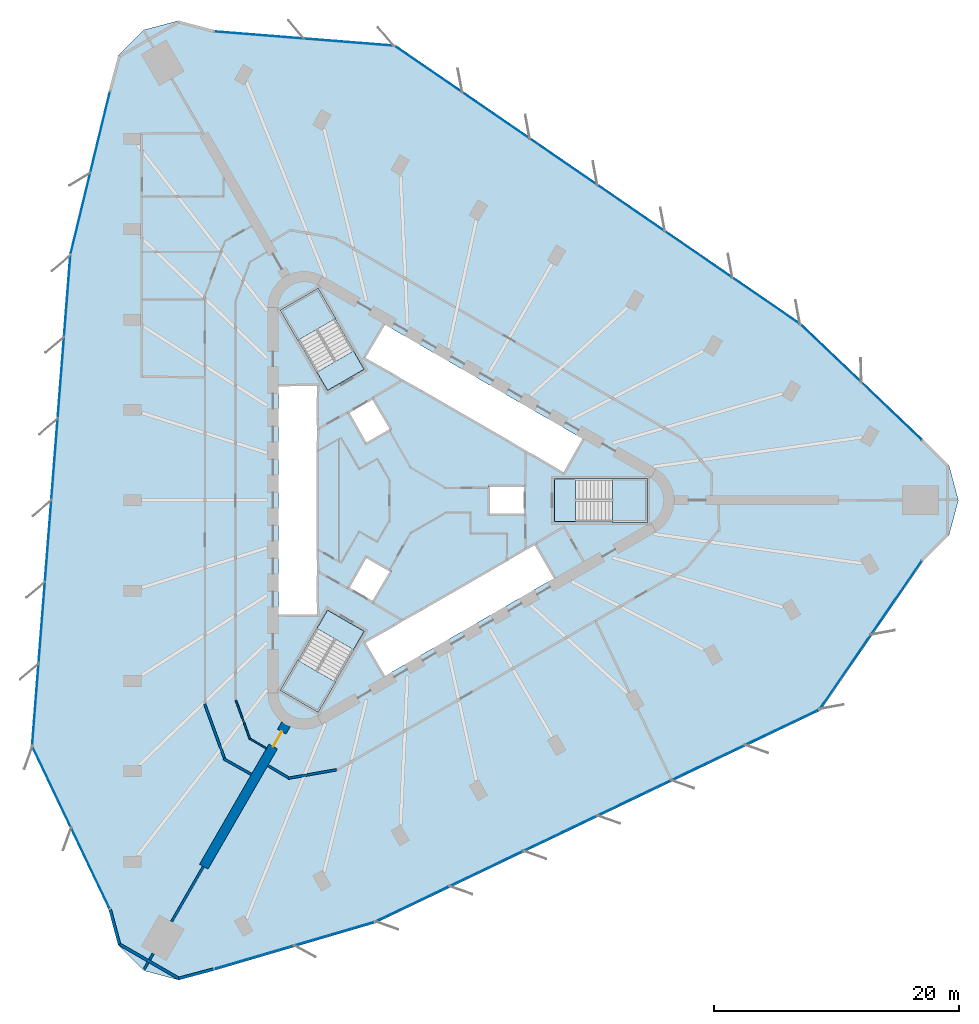
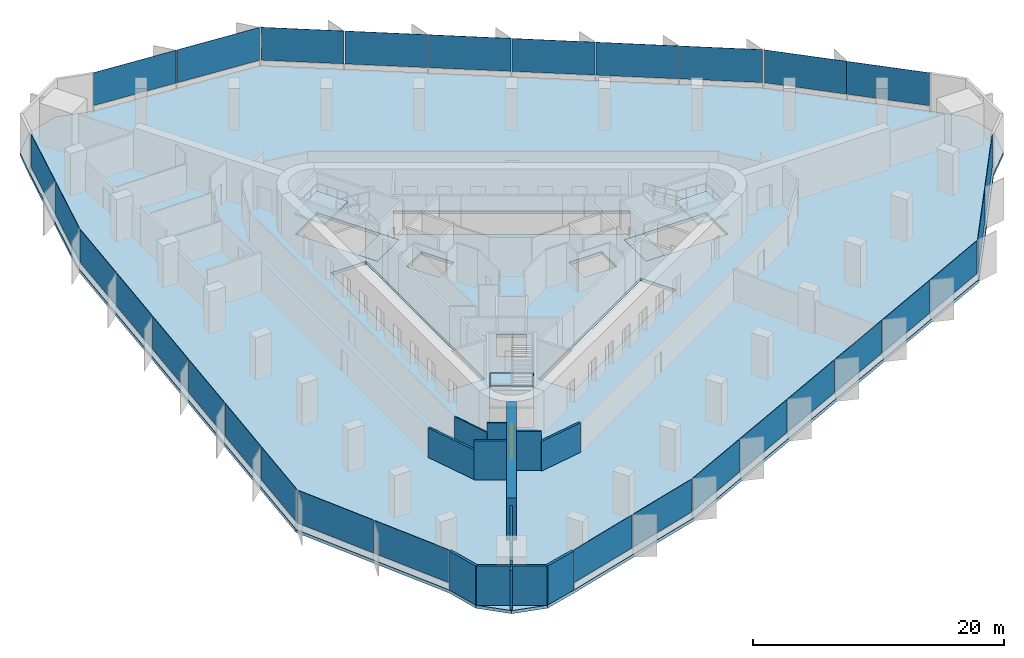
# One storey, part 8 of 14: 30 plates, 13 walls, 7 slabs, 1 door, 1 opening, 12 elements without a shape of their own.
"""IFC4 building model written with IfcOpenShell, lengths in metres."""

from ifc_helpers import new_model, si_unit, direction, frame, frame_2d, origin, origin_2d, place, context, subcontext, project, spatial, polyline, rectangle, outline, extrude, material, layer, layer_set, type_object, element, fill, aggregate, save


model = new_model("IFC4")

# Units and contexts
model_context = context("Model", 3, precision=1e-05, world=origin(), true_north=direction((0.0, 1.0)))
body_context = subcontext(model_context, "Body", "Model", "MODEL_VIEW")
ifc_project = project(units=[si_unit("LENGTHUNIT", "METRE"), si_unit("AREAUNIT", "SQUARE_METRE"), si_unit("VOLUMEUNIT", "CUBIC_METRE"), si_unit("PLANEANGLEUNIT", "RADIAN"), si_unit("MASSUNIT", "GRAM", prefix="KILO")], contexts=[model_context])

# Site, building, storey
site_placement = place(None, origin())
site = spatial("IfcSite", under=ifc_project, at=site_placement, CompositionType="ELEMENT")
building_placement = place(site_placement, origin())
building = spatial("IfcBuilding", under=site, at=building_placement, Name="Tanit Gate Tower", CompositionType="ELEMENT")
storey_placement = place(building_placement, frame((0.0, 0.0, 86.5)))
storey = spatial("IfcBuildingStorey", under=building, at=storey_placement, Name="L17", CompositionType="ELEMENT", Elevation=86.5)

# Slab
ifc_material_1 = material(Name="Concrete C35/45", Category="concrete")
ifc_layer_1 = layer(ifc_material_1, 0.300048828125)
ifc_layer_set_1 = layer_set([ifc_layer_1], Name="FLOOR SLAB 300 C35/45")
slab_type_1 = type_object("IfcSlabType", Name="FLOOR SLAB 300 C35/45", PredefinedType="FLOOR", material=ifc_layer_set_1)
slab_1_placement = place(storey_placement, frame((0.0, 0.0, -0.300048828125)))
element("IfcSlab", 1, at=slab_1_placement, inside=storey, type_object=slab_type_1, Name="FLOOR SLAB L17", PredefinedType="FLOOR", context=body_context, shape_type="SweptSolid", body=[
    extrude(outline(polyline([(41.55078125, 4.966796875), (43.64990234375, 2.86767578125), (44.41845703125, 0.0), (43.64990234375, -2.86767578125), (41.55078125, -4.966796875), (33.13671875, -17.19384765625), (-3.24462890625, -34.580810546875), (-16.473876953125, -38.46728515625), (-19.341552734375, -39.23583984375), (-22.209228515625, -38.46728515625), (-24.308349609375, -36.3681640625), (-25.076904296875, -33.50048828125), (-31.458740234375, -20.100341796875), (-28.32568359375, 20.100341796875), (-25.076904296875, 33.50048828125), (-24.308349609375, 36.3681640625), (-22.209228515625, 38.46728515625), (-19.341552734375, 39.23583984375), (-16.473876953125, 38.46728515625), (-1.677978515625, 37.294189453125), (31.5703125, 14.48046875), (41.55078125, 4.966796875)]), holes=[polyline([(11.3701171875, 1.72998046875), (18.929931640625, 1.72998046875), (18.929931640625, -1.72998046875), (11.3701171875, -1.72998046875), (11.3701171875, 1.72998046875)]), polyline([(-4.208984375, 11.60986328125), (-2.583984375, 14.424560546875), (13.783935546875, 4.974609375), (12.158935546875, 2.159912109375), (-4.208984375, 11.60986328125)]), polyline([(-4.208984375, -11.60986328125), (9.82080078125, -3.510009765625), (11.44580078125, -6.324462890625), (-2.583984375, -14.424560546875), (-4.208984375, -11.60986328125)]), polyline([(9.0, 1.199951171875), (9.0, -1.199951171875), (6.0, -1.199951171875), (6.0, 1.199951171875), (9.0, 1.199951171875)]), polyline([(-5.539306640625, 7.194091796875), (-3.460693359375, 8.394287109375), (-1.960693359375, 5.796142578125), (-4.039306640625, 4.59619140625), (-5.539306640625, 7.194091796875)]), polyline([(-1.960693359375, -5.796142578125), (-3.460693359375, -8.394287109375), (-5.539306640625, -7.194091796875), (-4.039306640625, -4.59619140625), (-1.960693359375, -5.796142578125)]), polyline([(-10.963134765625, 15.52880859375), (-7.966796875, 17.2587890625), (-4.186767578125, 10.711669921875), (-7.18310546875, 8.981689453125), (-10.963134765625, 15.52880859375)]), polyline([(-4.186767578125, -10.711669921875), (-7.966796875, -17.2587890625), (-10.963134765625, -15.52880859375), (-7.18310546875, -8.981689453125), (-4.186767578125, -10.711669921875)]), polyline([(-11.199951171875, -9.449951171875), (-11.199951171875, 9.449951171875), (-7.949951171875, 9.449951171875), (-7.949951171875, -9.449951171875), (-11.199951171875, -9.449951171875)])]), origin(), (0.0, 0.0, 1.0), 0.300048828125),
])

# Curtain wall, plates
ifc_material_2 = material(Name="Aluminium bronze anodised and glass", Category="aluminium")
curtain_wall_type = type_object("IfcCurtainWallType", Name="Curtain wall typical low", PredefinedType="NOTDEFINED", material=ifc_material_2)
curtain_wall_1_placement = place(storey_placement, origin())
curtain_wall_1 = element("IfcCurtainWall", 2, at=curtain_wall_1_placement, inside=storey, type_object=curtain_wall_type, Name="Curtain wall L17 NE1", PredefinedType="NOTDEFINED")
ifc_material_3 = material(Name="Glass tinted", Category="glass")
ifc_layer_2 = layer(ifc_material_3, 0.031982421875)
ifc_layer_set_2 = layer_set([ifc_layer_2], Name="Glass panel 32 typical low")
plate_type = type_object("IfcPlateType", Name="Glass panel 32 typical low", PredefinedType="CURTAIN_PANEL", material=ifc_layer_set_2)
plate_1_placement = place(storey_placement, frame((38.959228515625, 7.271240234375, 0.60009765625), z_axis=(0.0, 0.0, 1.0), x_axis=(-0.723833901773, 0.689974262306, 0.0)))
plate_1 = element("IfcPlate", 3, at=plate_1_placement, type_object=plate_type, Name="Glass panel L17 NE1.1", PredefinedType="CURTAIN_PANEL", context=body_context, shape_type="SweptSolid", body=[
    extrude(rectangle(XDim=6.768798828125, YDim=0.031982421875, at=origin_2d()), origin(), (0.0, 0.0, 1.0), 3.199951171875),
])
plate_2_placement = place(storey_placement, frame((34.001953125, 11.996826171875, 0.60009765625), z_axis=(0.0, 0.0, 1.0), x_axis=(-0.723833901773, 0.689974262306, 0.0)))
plate_2 = element("IfcPlate", 4, at=plate_2_placement, type_object=plate_type, Name="Glass panel L17 NE1.2", PredefinedType="CURTAIN_PANEL", context=body_context, shape_type="SweptSolid", body=[
    extrude(rectangle(XDim=6.768798828125, YDim=0.031982421875, at=origin_2d()), origin(), (0.0, 0.0, 1.0), 3.199951171875),
])
aggregate(curtain_wall_1, [plate_1, plate_2])

curtain_wall_2_placement = place(storey_placement, origin())
curtain_wall_2 = element("IfcCurtainWall", 5, at=curtain_wall_2_placement, inside=storey, type_object=curtain_wall_type, Name="Curtain wall L17 NE2", PredefinedType="NOTDEFINED")
plate_3_placement = place(storey_placement, frame((28.698974609375, 16.304931640625, 0.60009765625), z_axis=(0.0, 0.0, 1.0), x_axis=(-0.824556572821, 0.565779513784, 0.0)))
plate_3 = element("IfcPlate", 6, at=plate_3_placement, type_object=plate_type, Name="Glass panel L17 NE2.1", PredefinedType="CURTAIN_PANEL", context=body_context, shape_type="SweptSolid", body=[
    extrude(rectangle(XDim=6.6201171875, YDim=0.031982421875, at=origin_2d()), origin(), (0.0, 0.0, 1.0), 3.199951171875),
])
plate_4_placement = place(storey_placement, frame((23.17431640625, 20.095947265625, 0.60009765625), z_axis=(0.0, 0.0, 1.0), x_axis=(-0.824556572821, 0.565779513784, 0.0)))
plate_4 = element("IfcPlate", 7, at=plate_4_placement, type_object=plate_type, Name="Glass panel L17 NE2.2", PredefinedType="CURTAIN_PANEL", context=body_context, shape_type="SweptSolid", body=[
    extrude(rectangle(XDim=6.6201171875, YDim=0.031982421875, at=origin_2d()), origin(), (0.0, 0.0, 1.0), 3.199951171875),
])
plate_5_placement = place(storey_placement, frame((17.64990234375, 23.88671875, 0.60009765625), z_axis=(0.0, 0.0, 1.0), x_axis=(-0.824556572821, 0.565779513784, 0.0)))
plate_5 = element("IfcPlate", 8, at=plate_5_placement, type_object=plate_type, Name="Glass panel L17 NE2.3", PredefinedType="CURTAIN_PANEL", context=body_context, shape_type="SweptSolid", body=[
    extrude(rectangle(XDim=6.6201171875, YDim=0.031982421875, at=origin_2d()), origin(), (0.0, 0.0, 1.0), 3.199951171875),
])
plate_6_placement = place(storey_placement, frame((12.125244140625, 27.677490234375, 0.60009765625), z_axis=(0.0, 0.0, 1.0), x_axis=(-0.824556572821, 0.565779513784, 0.0)))
plate_6 = element("IfcPlate", 9, at=plate_6_placement, type_object=plate_type, Name="Glass panel L17 NE2.4", PredefinedType="CURTAIN_PANEL", context=body_context, shape_type="SweptSolid", body=[
    extrude(rectangle(XDim=6.6201171875, YDim=0.031982421875, at=origin_2d()), origin(), (0.0, 0.0, 1.0), 3.199951171875),
])
plate_7_placement = place(storey_placement, frame((6.6005859375, 31.46826171875, 0.60009765625), z_axis=(0.0, 0.0, 1.0), x_axis=(-0.824556572821, 0.565779513784, 0.0)))
plate_7 = element("IfcPlate", 10, at=plate_7_placement, type_object=plate_type, Name="Glass panel L17 NE2.5", PredefinedType="CURTAIN_PANEL", context=body_context, shape_type="SweptSolid", body=[
    extrude(rectangle(XDim=6.6201171875, YDim=0.031982421875, at=origin_2d()), origin(), (0.0, 0.0, 1.0), 3.199951171875),
])
plate_8_placement = place(storey_placement, frame((1.075927734375, 35.259033203125, 0.60009765625), z_axis=(0.0, 0.0, 1.0), x_axis=(-0.824556572821, 0.565779513784, 0.0)))
plate_8 = element("IfcPlate", 11, at=plate_8_placement, type_object=plate_type, Name="Glass panel L17 NE2.6", PredefinedType="CURTAIN_PANEL", context=body_context, shape_type="SweptSolid", body=[
    extrude(rectangle(XDim=6.6201171875, YDim=0.031982421875, at=origin_2d()), origin(), (0.0, 0.0, 1.0), 3.199951171875),
])
aggregate(curtain_wall_2, [plate_3, plate_4, plate_5, plate_6, plate_7, plate_8])

curtain_wall_3_placement = place(storey_placement, origin())
curtain_wall_3 = element("IfcCurtainWall", 12, at=curtain_wall_3_placement, inside=storey, type_object=curtain_wall_type, Name="Curtain wall L17 NE3", PredefinedType="NOTDEFINED")
plate_9_placement = place(storey_placement, frame((-5.43310546875, 37.4716796875, 0.60009765625), z_axis=(0.0, 0.0, 1.0), x_axis=(-0.99687105921, 0.079044868964, 0.0)))
plate_9 = element("IfcPlate", 13, at=plate_9_placement, type_object=plate_type, Name="Glass panel L17 NE3.1", PredefinedType="CURTAIN_PANEL", context=body_context, shape_type="SweptSolid", body=[
    extrude(rectangle(XDim=7.29052734375, YDim=0.031982421875, at=origin_2d()), origin(), (0.0, 0.0, 1.0), 3.199951171875),
])
plate_10_placement = place(storey_placement, frame((-12.78076171875, 38.05419921875, 0.60009765625), z_axis=(0.0, 0.0, 1.0), x_axis=(-0.99687105921, 0.079044868964, 0.0)))
plate_10 = element("IfcPlate", 14, at=plate_10_placement, type_object=plate_type, Name="Glass panel L17 NE3.2", PredefinedType="CURTAIN_PANEL", context=body_context, shape_type="SweptSolid", body=[
    extrude(rectangle(XDim=7.290771484375, YDim=0.031982421875, at=origin_2d()), origin(), (0.0, 0.0, 1.0), 3.199951171875),
])
aggregate(curtain_wall_3, [plate_9, plate_10])

curtain_wall_4_placement = place(storey_placement, origin())
curtain_wall_4 = element("IfcCurtainWall", 15, at=curtain_wall_4_placement, inside=storey, type_object=curtain_wall_type, Name="Curtain wall L17 W1", PredefinedType="NOTDEFINED")
plate_11_placement = place(storey_placement, frame((-25.77685546875, 30.10400390625, 0.60009765625), z_axis=(0.0, 0.0, 1.0), x_axis=(-0.235618288228, -0.971845678209, 0.0)))
plate_11 = element("IfcPlate", 16, at=plate_11_placement, type_object=plate_type, Name="Glass panel L17 W1.1", PredefinedType="CURTAIN_PANEL", context=body_context, shape_type="SweptSolid", body=[
    extrude(rectangle(XDim=6.768798828125, YDim=0.031982421875, at=origin_2d()), origin(), (0.0, 0.0, 1.0), 3.199951171875),
])
plate_12_placement = place(storey_placement, frame((-27.390380859375, 23.4482421875, 0.60009765625), z_axis=(0.0, 0.0, 1.0), x_axis=(-0.235618288228, -0.971845678209, 0.0)))
plate_12 = element("IfcPlate", 17, at=plate_12_placement, type_object=plate_type, Name="Glass panel L17 W1.2", PredefinedType="CURTAIN_PANEL", context=body_context, shape_type="SweptSolid", body=[
    extrude(rectangle(XDim=6.768798828125, YDim=0.031982421875, at=origin_2d()), origin(), (0.0, 0.0, 1.0), 3.199951171875),
])
aggregate(curtain_wall_4, [plate_11, plate_12])

curtain_wall_5_placement = place(storey_placement, origin())
curtain_wall_5 = element("IfcCurtainWall", 18, at=curtain_wall_5_placement, inside=storey, type_object=curtain_wall_type, Name="Curtain wall L17 W2", PredefinedType="NOTDEFINED")
plate_13_placement = place(storey_placement, frame((-28.47021484375, 16.70166015625, 0.60009765625), z_axis=(0.0, 0.0, 1.0), x_axis=(-0.077701145467, -0.996976695812, 0.0)))
plate_13 = element("IfcPlate", 19, at=plate_13_placement, type_object=plate_type, Name="Glass panel L17 W2.1", PredefinedType="CURTAIN_PANEL", context=body_context, shape_type="SweptSolid", body=[
    extrude(rectangle(XDim=6.6201171875, YDim=0.031982421875, at=origin_2d()), origin(), (0.0, 0.0, 1.0), 3.199951171875),
])
plate_14_placement = place(storey_placement, frame((-28.99072265625, 10.021728515625, 0.60009765625), z_axis=(0.0, 0.0, 1.0), x_axis=(-0.077701145467, -0.996976695812, 0.0)))
plate_14 = element("IfcPlate", 20, at=plate_14_placement, type_object=plate_type, Name="Glass panel L17 W2.2", PredefinedType="CURTAIN_PANEL", context=body_context, shape_type="SweptSolid", body=[
    extrude(rectangle(XDim=6.6201171875, YDim=0.031982421875, at=origin_2d()), origin(), (0.0, 0.0, 1.0), 3.199951171875),
])
plate_15_placement = place(storey_placement, frame((-29.51123046875, 3.341796875, 0.60009765625), z_axis=(0.0, 0.0, 1.0), x_axis=(-0.077701145467, -0.996976695812, 0.0)))
plate_15 = element("IfcPlate", 21, at=plate_15_placement, type_object=plate_type, Name="Glass panel L17 W2.3", PredefinedType="CURTAIN_PANEL", context=body_context, shape_type="SweptSolid", body=[
    extrude(rectangle(XDim=6.6201171875, YDim=0.031982421875, at=origin_2d()), origin(), (0.0, 0.0, 1.0), 3.199951171875),
])
plate_16_placement = place(storey_placement, frame((-30.031982421875, -3.338134765625, 0.60009765625), z_axis=(0.0, 0.0, 1.0), x_axis=(-0.077701145467, -0.996976695812, 0.0)))
plate_16 = element("IfcPlate", 22, at=plate_16_placement, type_object=plate_type, Name="Glass panel L17 W2.4", PredefinedType="CURTAIN_PANEL", context=body_context, shape_type="SweptSolid", body=[
    extrude(rectangle(XDim=6.6201171875, YDim=0.031982421875, at=origin_2d()), origin(), (0.0, 0.0, 1.0), 3.199951171875),
])
plate_17_placement = place(storey_placement, frame((-30.552490234375, -10.01806640625, 0.60009765625), z_axis=(0.0, 0.0, 1.0), x_axis=(-0.077701145467, -0.996976695812, 0.0)))
plate_17 = element("IfcPlate", 23, at=plate_17_placement, type_object=plate_type, Name="Glass panel L17 W2.5", PredefinedType="CURTAIN_PANEL", context=body_context, shape_type="SweptSolid", body=[
    extrude(rectangle(XDim=6.6201171875, YDim=0.031982421875, at=origin_2d()), origin(), (0.0, 0.0, 1.0), 3.199951171875),
])
plate_18_placement = place(storey_placement, frame((-31.0732421875, -16.69775390625, 0.60009765625), z_axis=(0.0, 0.0, 1.0), x_axis=(-0.077701145467, -0.996976695812, 0.0)))
plate_18 = element("IfcPlate", 24, at=plate_18_placement, type_object=plate_type, Name="Glass panel L17 W2.6", PredefinedType="CURTAIN_PANEL", context=body_context, shape_type="SweptSolid", body=[
    extrude(rectangle(XDim=6.6201171875, YDim=0.031982421875, at=origin_2d()), origin(), (0.0, 0.0, 1.0), 3.199951171875),
])
aggregate(curtain_wall_5, [plate_13, plate_14, plate_15, plate_16, plate_17, plate_18])

curtain_wall_6_placement = place(storey_placement, origin())
curtain_wall_6 = element("IfcCurtainWall", 25, at=curtain_wall_6_placement, inside=storey, type_object=curtain_wall_type, Name="Curtain wall L17 W3", PredefinedType="NOTDEFINED")
plate_19_placement = place(storey_placement, frame((-29.73486328125, -23.44091796875, 0.60009765625), z_axis=(0.0, 0.0, 1.0), x_axis=(0.429980665043, -0.902838096055, 0.0)))
plate_19 = element("IfcPlate", 26, at=plate_19_placement, type_object=plate_type, Name="Glass panel L17 W3.1", PredefinedType="CURTAIN_PANEL", context=body_context, shape_type="SweptSolid", body=[
    extrude(rectangle(XDim=7.29052734375, YDim=0.031982421875, at=origin_2d()), origin(), (0.0, 0.0, 1.0), 3.199951171875),
])
plate_20_placement = place(storey_placement, frame((-26.5654296875, -30.095458984375, 0.60009765625), z_axis=(0.0, 0.0, 1.0), x_axis=(0.429980665043, -0.902838096055, 0.0)))
plate_20 = element("IfcPlate", 27, at=plate_20_placement, type_object=plate_type, Name="Glass panel L17 W3.2", PredefinedType="CURTAIN_PANEL", context=body_context, shape_type="SweptSolid", body=[
    extrude(rectangle(XDim=7.290771484375, YDim=0.031982421875, at=origin_2d()), origin(), (0.0, 0.0, 1.0), 3.199951171875),
])
aggregate(curtain_wall_6, [plate_19, plate_20])

curtain_wall_7_placement = place(storey_placement, origin())
curtain_wall_7 = element("IfcCurtainWall", 28, at=curtain_wall_7_placement, inside=storey, type_object=curtain_wall_type, Name="Curtain wall L17 SE1", PredefinedType="NOTDEFINED")
plate_21_placement = place(storey_placement, frame((-13.1826171875, -37.37548828125, 0.60009765625), z_axis=(0.0, 0.0, 1.0), x_axis=(0.959452190001, 0.281871415903, 0.0)))
plate_21 = element("IfcPlate", 29, at=plate_21_placement, type_object=plate_type, Name="Glass panel L17 SE1.1", PredefinedType="CURTAIN_PANEL", context=body_context, shape_type="SweptSolid", body=[
    extrude(rectangle(XDim=6.768798828125, YDim=0.031982421875, at=origin_2d()), origin(), (0.0, 0.0, 1.0), 3.199951171875),
])
plate_22_placement = place(storey_placement, frame((-6.611572265625, -35.44482421875, 0.60009765625), z_axis=(0.0, 0.0, 1.0), x_axis=(0.959452190001, 0.281871415903, 0.0)))
plate_22 = element("IfcPlate", 30, at=plate_22_placement, type_object=plate_type, Name="Glass panel L17 SE1.2", PredefinedType="CURTAIN_PANEL", context=body_context, shape_type="SweptSolid", body=[
    extrude(rectangle(XDim=6.768798828125, YDim=0.031982421875, at=origin_2d()), origin(), (0.0, 0.0, 1.0), 3.199951171875),
])
aggregate(curtain_wall_7, [plate_21, plate_22])

curtain_wall_8_placement = place(storey_placement, origin())
curtain_wall_8 = element("IfcCurtainWall", 31, at=curtain_wall_8_placement, inside=storey, type_object=curtain_wall_type, Name="Curtain wall L17 SE2", PredefinedType="NOTDEFINED")
plate_23_placement = place(storey_placement, frame((-0.22900390625, -33.006591796875, 0.60009765625), z_axis=(0.0, 0.0, 1.0), x_axis=(0.902257718288, 0.431197182029, 0.0)))
plate_23 = element("IfcPlate", 32, at=plate_23_placement, type_object=plate_type, Name="Glass panel L17 SE2.1", PredefinedType="CURTAIN_PANEL", context=body_context, shape_type="SweptSolid", body=[
    extrude(rectangle(XDim=6.6201171875, YDim=0.031982421875, at=origin_2d()), origin(), (0.0, 0.0, 1.0), 3.199951171875),
])
plate_24_placement = place(storey_placement, frame((5.81640625, -30.11767578125, 0.60009765625), z_axis=(0.0, 0.0, 1.0), x_axis=(0.902257718288, 0.431197182029, 0.0)))
plate_24 = element("IfcPlate", 33, at=plate_24_placement, type_object=plate_type, Name="Glass panel L17 SE2.2", PredefinedType="CURTAIN_PANEL", context=body_context, shape_type="SweptSolid", body=[
    extrude(rectangle(XDim=6.6201171875, YDim=0.031982421875, at=origin_2d()), origin(), (0.0, 0.0, 1.0), 3.199951171875),
])
plate_25_placement = place(storey_placement, frame((11.861572265625, -27.228515625, 0.60009765625), z_axis=(0.0, 0.0, 1.0), x_axis=(0.902257718288, 0.431197182029, 0.0)))
plate_25 = element("IfcPlate", 34, at=plate_25_placement, type_object=plate_type, Name="Glass panel L17 SE2.3", PredefinedType="CURTAIN_PANEL", context=body_context, shape_type="SweptSolid", body=[
    extrude(rectangle(XDim=6.6201171875, YDim=0.031982421875, at=origin_2d()), origin(), (0.0, 0.0, 1.0), 3.199951171875),
])
plate_26_placement = place(storey_placement, frame((17.90673828125, -24.33935546875, 0.60009765625), z_axis=(0.0, 0.0, 1.0), x_axis=(0.902257718288, 0.431197182029, 0.0)))
plate_26 = element("IfcPlate", 35, at=plate_26_placement, type_object=plate_type, Name="Glass panel L17 SE2.4", PredefinedType="CURTAIN_PANEL", context=body_context, shape_type="SweptSolid", body=[
    extrude(rectangle(XDim=6.6201171875, YDim=0.031982421875, at=origin_2d()), origin(), (0.0, 0.0, 1.0), 3.199951171875),
])
plate_27_placement = place(storey_placement, frame((23.9521484375, -21.450439453125, 0.60009765625), z_axis=(0.0, 0.0, 1.0), x_axis=(0.902257718288, 0.431197182029, 0.0)))
plate_27 = element("IfcPlate", 36, at=plate_27_placement, type_object=plate_type, Name="Glass panel L17 SE2.5", PredefinedType="CURTAIN_PANEL", context=body_context, shape_type="SweptSolid", body=[
    extrude(rectangle(XDim=6.6201171875, YDim=0.031982421875, at=origin_2d()), origin(), (0.0, 0.0, 1.0), 3.199951171875),
])
plate_28_placement = place(storey_placement, frame((29.997314453125, -18.561279296875, 0.60009765625), z_axis=(0.0, 0.0, 1.0), x_axis=(0.902257718288, 0.431197182029, 0.0)))
plate_28 = element("IfcPlate", 37, at=plate_28_placement, type_object=plate_type, Name="Glass panel L17 SE2.6", PredefinedType="CURTAIN_PANEL", context=body_context, shape_type="SweptSolid", body=[
    extrude(rectangle(XDim=6.6201171875, YDim=0.031982421875, at=origin_2d()), origin(), (0.0, 0.0, 1.0), 3.199951171875),
])
aggregate(curtain_wall_8, [plate_23, plate_24, plate_25, plate_26, plate_27, plate_28])

curtain_wall_9_placement = place(storey_placement, origin())
curtain_wall_9 = element("IfcCurtainWall", 38, at=curtain_wall_9_placement, inside=storey, type_object=curtain_wall_type, Name="Curtain wall L17 SE3", PredefinedType="NOTDEFINED")
plate_29_placement = place(storey_placement, frame((35.16796875, -14.030517578125, 0.60009765625), z_axis=(0.0, 0.0, 1.0), x_axis=(0.566890394167, 0.823793227091, 0.0)))
plate_29 = element("IfcPlate", 39, at=plate_29_placement, type_object=plate_type, Name="Glass panel L17 SE3.1", PredefinedType="CURTAIN_PANEL", context=body_context, shape_type="SweptSolid", body=[
    extrude(rectangle(XDim=7.29052734375, YDim=0.031982421875, at=origin_2d()), origin(), (0.0, 0.0, 1.0), 3.199951171875),
])
plate_30_placement = place(storey_placement, frame((39.34619140625, -7.958740234375, 0.60009765625), z_axis=(0.0, 0.0, 1.0), x_axis=(0.566890394167, 0.823793227091, 0.0)))
plate_30 = element("IfcPlate", 40, at=plate_30_placement, type_object=plate_type, Name="Glass panel L17 SE3.2", PredefinedType="CURTAIN_PANEL", context=body_context, shape_type="SweptSolid", body=[
    extrude(rectangle(XDim=7.290771484375, YDim=0.031982421875, at=origin_2d()), origin(), (0.0, 0.0, 1.0), 3.199951171875),
])
aggregate(curtain_wall_9, [plate_29, plate_30])

# Stair, slab
ifc_material_4 = material(Name="Concrete C40/50", Category="concrete")
stair_type = type_object("IfcStairType", Name="INT-STAIR-EXIT", PredefinedType="HALF_TURN_STAIR", material=ifc_material_4)
stair_1_placement = place(storey_placement, origin())
stair_1 = element("IfcStair", 41, at=stair_1_placement, inside=storey, type_object=stair_type, Name="L17 STAIR S1", PredefinedType="HALF_TURN_STAIR")
ifc_material_5 = material(Name="Concrete C40/50", Category="concrete")
ifc_layer_3 = layer(ifc_material_5, 0.199951171875)
ifc_layer_set_3 = layer_set([ifc_layer_3], Name="INT-STAIR-LANDING")
slab_type_2 = type_object("IfcSlabType", Name="INT-STAIR-LANDING", PredefinedType="LANDING", material=ifc_layer_set_3)
slab_2_placement = place(storey_placement, frame((0.0, 0.0, 1.85009765625)))
slab_2 = element("IfcSlab", 42, at=slab_2_placement, type_object=slab_type_2, Name="S1 landing 1", PredefinedType="LANDING", context=body_context, shape_type="SweptSolid", body=[
    extrude(outline(polyline([(16.135986328125, -1.800048828125), (19.0, -1.800048828125), (19.0, 1.800048828125), (16.135986328125, 1.800048828125), (16.135986328125, -1.800048828125)])), origin(), (0.0, 0.0, 1.0), 0.199951171875),
])
aggregate(stair_1, [slab_2])

# Slab
slab_3_placement = place(storey_placement, frame((0.0, 0.0, -0.199951171875)))
element("IfcSlab", 43, at=slab_3_placement, inside=storey, type_object=slab_type_2, Name="S1 floor landing", PredefinedType="LANDING", context=body_context, shape_type="SweptSolid", body=[
    extrude(outline(polyline([(11.3798828125, -1.719970703125), (13.10498046875, -1.719970703125), (13.10498046875, 1.719970703125), (11.3798828125, 1.719970703125), (11.3798828125, -1.719970703125)])), origin(), (0.0, 0.0, 1.0), 0.199951171875),
])

# Stair, slab
stair_2_placement = place(storey_placement, origin())
stair_2 = element("IfcStair", 44, at=stair_2_placement, inside=storey, type_object=stair_type, Name="L17 STAIR S2", PredefinedType="HALF_TURN_STAIR")
slab_4_placement = place(storey_placement, frame((0.0, 0.0, 1.85009765625)))
slab_4 = element("IfcSlab", 45, at=slab_4_placement, type_object=slab_type_2, Name="S2 landing 1", PredefinedType="LANDING", context=body_context, shape_type="SweptSolid", body=[
    extrude(outline(polyline([(-6.5078125, 14.871826171875), (-7.941162109375, 17.3544921875), (-11.058837890625, 15.554443359375), (-9.62548828125, 13.07177734375), (-6.5078125, 14.871826171875)])), origin(), (0.0, 0.0, 1.0), 0.199951171875),
])
aggregate(stair_2, [slab_4])

# Slab
slab_5_placement = place(storey_placement, frame((0.0, 0.0, -0.199951171875)))
element("IfcSlab", 46, at=slab_5_placement, inside=storey, type_object=slab_type_2, Name="S2 floor landing", PredefinedType="LANDING", context=body_context, shape_type="SweptSolid", body=[
    extrude(outline(polyline([(-4.200439453125, 10.71533203125), (-5.0625, 12.20849609375), (-8.04150390625, 10.48828125), (-7.179443359375, 8.995361328125), (-4.200439453125, 10.71533203125)])), origin(), (0.0, 0.0, 1.0), 0.199951171875),
])

# Stair, slab
stair_3_placement = place(storey_placement, origin())
stair_3 = element("IfcStair", 47, at=stair_3_placement, inside=storey, type_object=stair_type, Name="L17 STAIR S3", PredefinedType="HALF_TURN_STAIR")
slab_6_placement = place(storey_placement, frame((0.0, 0.0, 1.85009765625)))
slab_6 = element("IfcSlab", 48, at=slab_6_placement, type_object=slab_type_2, Name="S3 landing 1", PredefinedType="LANDING", context=body_context, shape_type="SweptSolid", body=[
    extrude(outline(polyline([(-9.626953125, -13.07421875), (-11.058837890625, -15.554443359375), (-7.941162109375, -17.3544921875), (-6.509033203125, -14.874267578125), (-9.626953125, -13.07421875)])), origin(), (0.0, 0.0, 1.0), 0.199951171875),
])
aggregate(stair_3, [slab_6])

# Slab
slab_7_placement = place(storey_placement, frame((0.0, 0.0, -0.199951171875)))
element("IfcSlab", 49, at=slab_7_placement, inside=storey, type_object=slab_type_2, Name="S3 floor landing", PredefinedType="LANDING", context=body_context, shape_type="SweptSolid", body=[
    extrude(outline(polyline([(-7.179443359375, -8.995361328125), (-8.0419921875, -10.4892578125), (-5.06298828125, -12.209228515625), (-4.200439453125, -10.71533203125), (-7.179443359375, -8.995361328125)])), origin(), (0.0, 0.0, 1.0), 0.199951171875),
])

# Wall, opening, door
ifc_material_6 = material(Name="Concrete C60/75", Category="concrete")
ifc_layer_4 = layer(ifc_material_6, 0.800048828125)
ifc_layer_set_4 = layer_set([ifc_layer_4], Name="BUTTRESS FIN 800 C60/75")
wall_type_1 = type_object("IfcWallType", Name="BUTTRESS FIN 800 C60/75", PredefinedType="SHEAR", material=ifc_layer_set_4)
wall_1_placement = place(storey_placement, frame((-10.574951171875, -18.31640625, 0.0), z_axis=(0.0, 0.0, 1.0), x_axis=(-0.499995223427, -0.866028161523, 0.0)))
wall_1 = element("IfcWall", 50, at=wall_1_placement, inside=storey, type_object=wall_type_1, Name="BUTTRESS FIN", PredefinedType="SHEAR", context=body_context, shape_type="SweptSolid", body=[
    extrude(rectangle(XDim=13.455322265625, YDim=0.800048828125, at=frame_2d((6.7275390625, 0.0))), origin(), (0.0, 0.0, 1.0), 4.10009765625),
])
opening_placement = place(wall_1_placement, frame((0.699951171875, 0.0, 0.0)))
opening = element("IfcOpeningElement", 51, at=opening_placement, cuts=wall_1, Name="Opening P14-S03-F-SW-1", PredefinedType="OPENING", context=body_context, shape_type="SweptSolid", body=[
    extrude(rectangle(XDim=1.39990234375, YDim=2.39990234375, at=frame_2d((0.699951171875, 1.199951171875))), frame((0.0, 0.41015625, 0.0), z_axis=(0.0, -1.0, 0.0), x_axis=(1.0, 0.0, 0.0)), (0.0, 0.0, 1.0), 0.820068359375),
])
ifc_material_7 = material(Name="Timber door leaf", Category="wood")
door_type = type_object("IfcDoorType", Name="INT-DOOR-FIN-PAIR-1400", OperationType="NOTDEFINED", PredefinedType="NOTDEFINED", material=ifc_material_7)
door_placement = place(opening_placement, origin())
door = element("IfcDoor", 52, at=door_placement, inside=storey, type_object=door_type, Name="Door P14-S03-F-SW-1", OperationType="DOUBLE_DOOR_SINGLE_SWING", OverallHeight=2.39990234375, OverallWidth=1.39990234375, PredefinedType="NOTDEFINED", context=body_context, shape_type="SweptSolid", body=[
    extrude(rectangle(XDim=1.39990234375, YDim=2.39990234375, at=frame_2d((0.699951171875, 1.199951171875))), frame((0.0, 0.02490234375, 0.0), z_axis=(0.0, -1.0, 0.0), x_axis=(1.0, 0.0, 0.0)), (0.0, 0.0, 1.0), 0.050048828125),
])
fill(opening, door)

# Walls
ifc_material_8 = material(Name="Concrete C30/37 with bronze anodised aluminium cladding", Category="concrete")
ifc_layer_5 = layer(ifc_material_8, 0.239990234375)
ifc_layer_set_5 = layer_set([ifc_layer_5], Name="Facade wall bronze clad 240")
wall_type_2 = type_object("IfcWallType", Name="Facade wall bronze clad 240", PredefinedType="SOLIDWALL", material=ifc_layer_set_5)
wall_2_placement = place(storey_placement, frame((-24.963623046875, -33.458984375, 0.0), z_axis=(0.0, 0.0, 1.0), x_axis=(0.25875540601, -0.965942876086, 0.0)))
element("IfcWall", 53, at=wall_2_placement, inside=storey, type_object=wall_type_2, Name="Bronze-clad facade wall L17 SW.arc1", PredefinedType="SOLIDWALL", context=body_context, shape_type="SweptSolid", body=[
    extrude(rectangle(XDim=2.947509765625, YDim=0.239990234375, at=frame_2d((1.4736328125, 0.0))), origin(), (0.0, 0.0, 1.0), 3.800048828125),
])
wall_3_placement = place(storey_placement, frame((-24.200927734375, -36.30615234375, 0.0), z_axis=(0.0, 0.0, 1.0), x_axis=(0.866036326607, -0.499981080639, 0.0)))
element("IfcWall", 54, at=wall_3_placement, inside=storey, type_object=wall_type_2, Name="Bronze-clad facade wall L17 SW.arc2", PredefinedType="SOLIDWALL", context=body_context, shape_type="SweptSolid", body=[
    extrude(rectangle(XDim=5.611083984375, YDim=0.239990234375, at=frame_2d((2.8056640625, 0.0))), origin(), (0.0, 0.0, 1.0), 3.800048828125),
])
wall_4_placement = place(storey_placement, frame((-19.341552734375, -39.111572265625, 0.0), z_axis=(0.0, 0.0, 1.0), x_axis=(0.965919462467, 0.258842794041, 0.0)))
element("IfcWall", 55, at=wall_4_placement, inside=storey, type_object=wall_type_2, Name="Bronze-clad facade wall L17 SW.arc3", PredefinedType="SOLIDWALL", context=body_context, shape_type="SweptSolid", body=[
    extrude(rectangle(XDim=2.935302734375, YDim=0.239990234375, at=frame_2d((1.4677734375, 0.0))), origin(), (0.0, 0.0, 1.0), 3.800048828125),
])
ifc_material_9 = material(Name="Fire-rated gypsum board partition")
ifc_layer_6 = layer(ifc_material_9, 0.199951171875)
ifc_layer_set_6 = layer_set([ifc_layer_6], Name="INT-WALL-COMPARTMENT")
wall_type_3 = type_object("IfcWallType", Name="INT-WALL-COMPARTMENT", PredefinedType="PARTITIONING", material=ifc_layer_set_6)
wall_5_placement = place(storey_placement, frame((-15.679443359375, -21.139892578125, 0.0), z_axis=(0.0, 0.0, 1.0), x_axis=(0.871170402172, -0.490980784124, 0.0)))
element("IfcWall", 56, at=wall_5_placement, inside=storey, type_object=wall_type_3, Name="Wall Compartment W089", PredefinedType="PARTITIONING", context=body_context, shape_type="SweptSolid", body=[
    extrude(rectangle(XDim=2.609130859375, YDim=0.199951171875, at=frame_2d((1.3046875, 0.0))), origin(), (0.0, 0.0, 1.0), 3.800048828125),
])
wall_6_placement = place(storey_placement, frame((-17.234130859375, -16.646240234375, 0.0), z_axis=(0.0, 0.0, 1.0), x_axis=(0.342004731639, -0.939698230038, 0.0)))
element("IfcWall", 57, at=wall_6_placement, inside=storey, type_object=wall_type_3, Name="Wall Compartment W090", PredefinedType="PARTITIONING", context=body_context, shape_type="SweptSolid", body=[
    extrude(rectangle(XDim=4.794189453125, YDim=0.199951171875, at=frame_2d((2.39697265625, 0.0))), origin(), (0.0, 0.0, 1.0), 2.8798828125),
])
wall_7_placement = place(storey_placement, frame((-10.442626953125, -22.7470703125, 0.0), z_axis=(0.0, 0.0, 1.0), x_axis=(0.984812020794, 0.173623972133, 0.0)))
element("IfcWall", 58, at=wall_7_placement, inside=storey, type_object=wall_type_3, Name="Wall Compartment W105", PredefinedType="PARTITIONING", context=body_context, shape_type="SweptSolid", body=[
    extrude(rectangle(XDim=4.056640625, YDim=0.199951171875, at=frame_2d((2.0283203125, 0.0))), origin(), (0.0, 0.0, 1.0), 2.8798828125),
])
wall_8_placement = place(storey_placement, frame((-12.064208984375, -21.69580078125, 0.0), z_axis=(0.0, 0.0, 1.0), x_axis=(0.859769731383, -0.510681905885, 0.0)))
element("IfcWall", 59, at=wall_8_placement, inside=storey, type_object=wall_type_3, Name="Wall Compartment W106", PredefinedType="PARTITIONING", context=body_context, shape_type="SweptSolid", body=[
    extrude(rectangle(XDim=1.97021484375, YDim=0.199951171875, at=frame_2d((0.985107421875, 0.0))), origin(), (0.0, 0.0, 1.0), 3.800048828125),
])
wall_9_placement = place(storey_placement, frame((-22.1689453125, -38.337890625, 0.0), z_axis=(0.0, 0.0, 1.0), x_axis=(0.499970989427, 0.866042152399, 0.0)))
element("IfcWall", 60, at=wall_9_placement, inside=storey, type_object=wall_type_3, Name="Wall Compartment W109", PredefinedType="PARTITIONING", context=body_context, shape_type="SweptSolid", body=[
    extrude(rectangle(XDim=0.62353515625, YDim=0.199951171875, at=frame_2d((0.311767578125, 0.0))), origin(), (0.0, 0.0, 1.0), 3.800048828125),
])
wall_10_placement = place(storey_placement, frame((-21.737060546875, -37.58984375, 0.0), z_axis=(0.0, 0.0, 1.0), x_axis=(0.499920697567, 0.866071184225, 0.0)))
element("IfcWall", 61, at=wall_10_placement, inside=storey, type_object=wall_type_3, Name="Wall Compartment W109x1", PredefinedType="PARTITIONING", context=body_context, shape_type="SweptSolid", body=[
    extrude(rectangle(XDim=0.60400390625, YDim=0.199951171875, at=frame_2d((0.302001953125, 0.0))), origin(), (0.0, 0.0, 1.0), 3.800048828125),
])
wall_11_placement = place(storey_placement, frame((-19.93505859375, -34.46875, 0.0), z_axis=(0.0, 0.0, 1.0), x_axis=(0.49998731371, 0.866032728093, 0.0)))
element("IfcWall", 62, at=wall_11_placement, inside=storey, type_object=wall_type_3, Name="Wall Compartment W110", PredefinedType="PARTITIONING", context=body_context, shape_type="SweptSolid", body=[
    extrude(rectangle(XDim=5.213134765625, YDim=0.199951171875, at=frame_2d((2.6064453125, 0.0))), origin(), (0.0, 0.0, 1.0), 3.3701171875),
])
ifc_material_10 = material(Name="Gypsum board partition")
ifc_layer_7 = layer(ifc_material_10, 0.1201171875)
ifc_layer_set_7 = layer_set([ifc_layer_7], Name="INT-WALL-PARTITION")
wall_type_4 = type_object("IfcWallType", Name="INT-WALL-PARTITION", PredefinedType="PARTITIONING", material=ifc_layer_set_7)
wall_12_placement = place(storey_placement, frame((-14.679443359375, -16.35595703125, 0.0), z_axis=(0.0, 0.0, 1.0), x_axis=(0.342002052592, -0.939699205077, 0.0)))
element("IfcWall", 63, at=wall_12_placement, inside=storey, type_object=wall_type_4, Name="Wall Partition W087", PredefinedType="PARTITIONING", context=body_context, shape_type="SweptSolid", body=[
    extrude(rectangle(XDim=3.40576171875, YDim=0.1201171875, at=frame_2d((1.702880859375, 0.0))), origin(), (0.0, 0.0, 1.0), 2.8798828125),
])
wall_13_placement = place(storey_placement, frame((-13.51611328125, -19.501220703125, 0.0), z_axis=(0.0, 0.0, 1.0), x_axis=(0.858336816023, -0.513086649856, 0.0)))
element("IfcWall", 64, at=wall_13_placement, inside=storey, type_object=wall_type_4, Name="Wall Partition W088", PredefinedType="PARTITIONING", context=body_context, shape_type="SweptSolid", body=[
    extrude(rectangle(XDim=1.554931640625, YDim=0.1201171875, at=frame_2d((0.77734375, 0.0))), origin(), (0.0, 0.0, 1.0), 3.800048828125),
])

save(model, "model.ifc")
